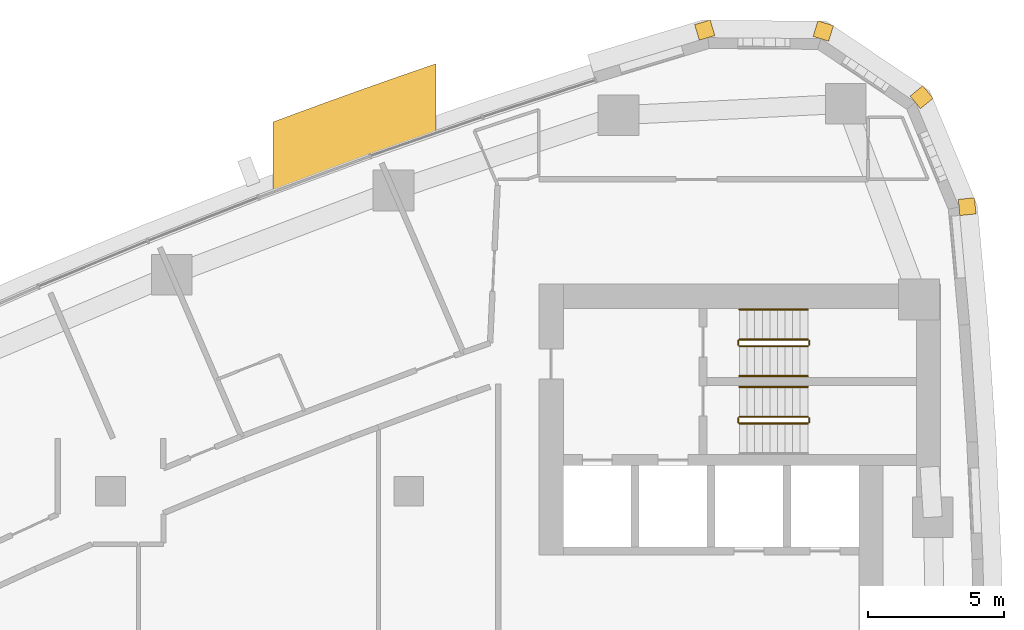
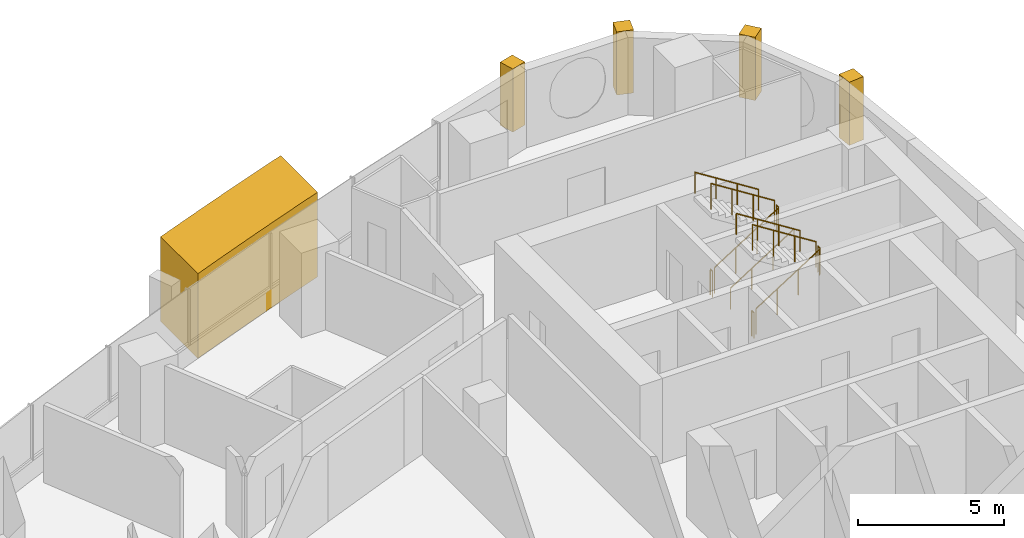
# One storey, part 17 of 17: 11 railings, 5 coverings.
"""IFC4 building model written with IfcOpenShell, lengths in metres."""

from ifc_helpers import new_model, si_unit, direction, frame, frame_2d, origin, origin_2d, place, context, subcontext, project, spatial, polyline, rectangle, circle, outline, extrude, material, layer, layer_set, type_object, element, save


model = new_model("IFC4")

# Units and contexts
model_context = context("Model", 3, precision=1e-05, world=origin(), true_north=direction((0.0, 1.0)))
body_context = subcontext(model_context, "Body", "Model", "MODEL_VIEW")
ifc_project = project(units=[si_unit("LENGTHUNIT", "METRE"), si_unit("AREAUNIT", "SQUARE_METRE"), si_unit("VOLUMEUNIT", "CUBIC_METRE"), si_unit("PLANEANGLEUNIT", "RADIAN"), si_unit("MASSUNIT", "GRAM", prefix="KILO")], contexts=[model_context])

# Site, building, storey
site_placement = place(None, origin())
site = spatial("IfcSite", under=ifc_project, at=site_placement, CompositionType="ELEMENT")
building_placement = place(site_placement, origin())
building = spatial("IfcBuilding", under=site, at=building_placement, Name="Ostrand Prow Hotel Tower", CompositionType="ELEMENT")
storey_placement = place(building_placement, frame((0.0, 0.0, 155.050048828125)))
storey = spatial("IfcBuildingStorey", under=building, at=storey_placement, Name="L38", CompositionType="ELEMENT", Elevation=155.050048828125)

# Coverings
ifc_material_1 = material(Name="Limestone cladding", Category="masonry")
ifc_layer_1 = layer(ifc_material_1, 5.0)
ifc_layer_set_1 = layer_set([ifc_layer_1], Name="Limestone cladding")
covering_type_1 = type_object("IfcCoveringType", Name="Portal jamb pilaster limestone", PredefinedType="CLADDING", material=ifc_layer_set_1)
covering_1_placement = place(storey_placement, origin())
element("IfcCovering", 1, at=covering_1_placement, inside=storey, type_object=covering_type_1, Name="Portal jamb NB L38", PredefinedType="CLADDING", context=body_context, shape_type="SweptSolid", body=[
    extrude(outline(polyline([(40.0, 20.058349609375), (41.0, 20.434326171875), (42.0, 20.804931640625), (43.0, 21.169921875), (44.0, 21.529296875), (45.0, 21.883056640625), (46.0, 22.231689453125), (46.0, 24.769287109375), (45.0, 24.425048828125), (44.0, 24.075439453125), (43.0, 23.720458984375), (42.0, 23.360107421875), (41.0, 22.994140625), (40.0, 22.622802734375), (40.0, 20.058349609375)])), origin(), (0.0, 0.0, 1.0), 3.550048828125),
])
ifc_material_2 = material(Name="Limestone cladding", Category="masonry")
ifc_layer_2 = layer(ifc_material_2, 0.60009765625)
ifc_layer_set_2 = layer_set([ifc_layer_2], Name="Limestone cladding")
covering_type_2 = type_object("IfcCoveringType", Name="Precast stone prow rib 600x600", PredefinedType="CLADDING", material=ifc_layer_set_2)
covering_2_placement = place(storey_placement, frame((65.296875, 19.467529296875, 0.599853515625), z_axis=(0.0, 0.0, 1.0), x_axis=(0.994854249607, 0.101316445052, 0.0)))
element("IfcCovering", 2, at=covering_2_placement, inside=storey, type_object=covering_type_2, Name="Stone corner rib 14a", PredefinedType="CLADDING", context=body_context, shape_type="SweptSolid", body=[
    extrude(rectangle(XDim=0.60009765625, YDim=0.60009765625, at=frame_2d((0.300048828125, 0.0))), origin(), (0.0, 0.0, 1.0), 2.650146484375),
])
for number, where, z_axis, x_axis, name in (
    (3, (63.68505859375, 23.34521484375, 0.599853515625), (0.0, 0.0, 1.0), (0.773830327772, 0.633392945825, 0.0), "Stone corner rib 15a"),
    (4, (60.201171875, 25.689697265625, 0.599853515625), (0.0, 0.0, 1.0), (0.295515682615, 0.955337888565, 0.0), "Stone corner rib 16a"),
):
    element("IfcCovering", number, at=place(storey_placement, frame(where, z_axis=z_axis, x_axis=x_axis)), inside=storey, type_object=covering_type_2, Name=name, PredefinedType="CLADDING", context=body_context, shape_type="SweptSolid", body=[
        extrude(rectangle(XDim=0.599853515625, YDim=0.60009765625, at=frame_2d((0.2998046875, 0.0))), origin(), (0.0, 0.0, 1.0), 2.650146484375),
    ])
covering_3_placement = place(storey_placement, frame((56.001953125, 25.722412109375, 0.599853515625), z_axis=(0.0, 0.0, 1.0), x_axis=(-0.280734221166, 0.959785547436, 0.0)))
element("IfcCovering", 5, at=covering_3_placement, inside=storey, type_object=covering_type_2, Name="Stone corner rib 16b", PredefinedType="CLADDING", context=body_context, shape_type="SweptSolid", body=[
    extrude(rectangle(XDim=0.60009765625, YDim=0.60009765625, at=frame_2d((0.300048828125, 0.0))), origin(), (0.0, 0.0, 1.0), 2.650146484375),
])

# Railings
ifc_material_3 = material(Name="Painted steel", Category="steel")
railing_type_1 = type_object("IfcRailingType", Name="Stair guard 1100", PredefinedType="GUARDRAIL", material=ifc_material_3)
railing_1_placement = place(storey_placement, frame((57.199951171875, 11.5, 0.177490234375)))
element("IfcRailing", 6, at=railing_1_placement, inside=storey, type_object=railing_type_1, Name="L38 ST1C stair guard 1", PredefinedType="GUARDRAIL", context=body_context, shape_type="SweptSolid", body=[
    extrude(circle(Radius=0.02392578125, at=origin_2d()), frame((0.0, 0.0, 1.076171875), z_axis=(0.84460694969, 0.0, 0.535386869969), x_axis=(0.0, 1.0, 0.0)), (0.0, 0.0, 1.0), 2.983642578125),
    extrude(circle(Radius=0.02099609375, at=origin_2d()), origin(), (0.0, 0.0, 1.0), 1.052001953125),
    extrude(circle(Radius=0.02099609375, at=origin_2d()), frame((0.840087890625, 0.0, 0.532470703125)), (0.0, 0.0, 1.0), 1.052001953125),
    extrude(circle(Radius=0.02099609375, at=origin_2d()), frame((1.679931640625, 0.0, 1.06494140625)), (0.0, 0.0, 1.0), 1.052001953125),
    extrude(circle(Radius=0.02099609375, at=origin_2d()), frame((2.52001953125, 0.0, 1.597412109375)), (0.0, 0.0, 1.0), 1.052001953125),
])
railing_2_placement = place(storey_placement, frame((59.77001953125, 11.550048828125, 1.77490234375)))
element("IfcRailing", 7, at=railing_2_placement, inside=storey, type_object=railing_type_1, Name="L38 ST1C stair guard 2", PredefinedType="GUARDRAIL", context=body_context, shape_type="SweptSolid", body=[
    extrude(circle(Radius=0.02392578125, at=origin_2d()), frame((0.0, 0.0, 1.076171875), z_axis=(0.0, 1.0, 0.0), x_axis=(-1.0, 0.0, 0.0)), (0.0, 0.0, 1.0), 0.14990234375),
    extrude(circle(Radius=0.02099609375, at=origin_2d()), origin(), (0.0, 0.0, 1.0), 1.052001953125),
    extrude(circle(Radius=0.02099609375, at=origin_2d()), frame((0.0, 0.14990234375, 0.0)), (0.0, 0.0, 1.0), 1.052001953125),
])
railing_3_placement = place(storey_placement, frame((59.719970703125, 11.75, 1.952392578125)))
element("IfcRailing", 8, at=railing_3_placement, inside=storey, type_object=railing_type_1, Name="L38 ST1C stair guard 3", PredefinedType="GUARDRAIL", context=body_context, shape_type="SweptSolid", body=[
    extrude(circle(Radius=0.02392578125, at=origin_2d()), frame((0.0, 0.0, 1.076171875), z_axis=(-0.84456994832, 0.0, 0.535445237532), x_axis=(0.0, -1.0, 0.0)), (0.0, 0.0, 1.0), 2.98388671875),
    extrude(circle(Radius=0.02099609375, at=origin_2d()), origin(), (0.0, 0.0, 1.0), 1.052001953125),
    extrude(circle(Radius=0.02099609375, at=origin_2d()), frame((-0.840087890625, 0.0, 0.532470703125)), (0.0, 0.0, 1.0), 1.052001953125),
    extrude(circle(Radius=0.02099609375, at=origin_2d()), frame((-1.679931640625, 0.0, 1.065185546875)), (0.0, 0.0, 1.0), 1.052001953125),
    extrude(circle(Radius=0.02099609375, at=origin_2d()), frame((-2.52001953125, 0.0, 1.59765625)), (0.0, 0.0, 1.0), 1.052001953125),
])
railing_4_placement = place(storey_placement, frame((57.14990234375, 11.550048828125, 0.0)))
element("IfcRailing", 9, at=railing_4_placement, inside=storey, type_object=railing_type_1, Name="L38 ST1C stair guard 4", PredefinedType="GUARDRAIL", context=body_context, shape_type="SweptSolid", body=[
    extrude(circle(Radius=0.02392578125, at=origin_2d()), frame((0.0, 0.0, 1.076171875), z_axis=(0.0, 1.0, 0.0), x_axis=(-1.0, 0.0, 0.0)), (0.0, 0.0, 1.0), 0.14990234375),
    extrude(circle(Radius=0.02099609375, at=origin_2d()), origin(), (0.0, 0.0, 1.0), 1.052001953125),
    extrude(circle(Radius=0.02099609375, at=origin_2d()), frame((0.0, 0.14990234375, 0.0)), (0.0, 0.0, 1.0), 1.052001953125),
])
railing_5_placement = place(storey_placement, frame((57.199951171875, 14.35009765625, 0.177490234375)))
element("IfcRailing", 10, at=railing_5_placement, inside=storey, type_object=railing_type_1, Name="L38 ST3C stair guard 1", PredefinedType="GUARDRAIL", context=body_context, shape_type="SweptSolid", body=[
    extrude(circle(Radius=0.02392578125, at=origin_2d()), frame((0.0, 0.0, 1.076171875), z_axis=(0.84460694969, 0.0, 0.535386869969), x_axis=(0.0, 1.0, 0.0)), (0.0, 0.0, 1.0), 2.983642578125),
    extrude(circle(Radius=0.02099609375, at=origin_2d()), origin(), (0.0, 0.0, 1.0), 1.052001953125),
    extrude(circle(Radius=0.02099609375, at=origin_2d()), frame((0.840087890625, 0.0, 0.532470703125)), (0.0, 0.0, 1.0), 1.052001953125),
    extrude(circle(Radius=0.02099609375, at=origin_2d()), frame((1.679931640625, 0.0, 1.06494140625)), (0.0, 0.0, 1.0), 1.052001953125),
    extrude(circle(Radius=0.02099609375, at=origin_2d()), frame((2.52001953125, 0.0, 1.597412109375)), (0.0, 0.0, 1.0), 1.052001953125),
])
railing_6_placement = place(storey_placement, frame((59.77001953125, 14.39990234375, 1.77490234375)))
element("IfcRailing", 11, at=railing_6_placement, inside=storey, type_object=railing_type_1, Name="L38 ST3C stair guard 2", PredefinedType="GUARDRAIL", context=body_context, shape_type="SweptSolid", body=[
    extrude(circle(Radius=0.02392578125, at=origin_2d()), frame((0.0, 0.0, 1.076171875), z_axis=(0.0, 1.0, 0.0), x_axis=(-1.0, 0.0, 0.0)), (0.0, 0.0, 1.0), 0.150146484375),
    extrude(circle(Radius=0.02099609375, at=origin_2d()), origin(), (0.0, 0.0, 1.0), 1.052001953125),
    extrude(circle(Radius=0.02099609375, at=origin_2d()), frame((0.0, 0.150146484375, 0.0)), (0.0, 0.0, 1.0), 1.052001953125),
])
railing_7_placement = place(storey_placement, frame((59.719970703125, 14.60009765625, 1.952392578125)))
element("IfcRailing", 12, at=railing_7_placement, inside=storey, type_object=railing_type_1, Name="L38 ST3C stair guard 3", PredefinedType="GUARDRAIL", context=body_context, shape_type="SweptSolid", body=[
    extrude(circle(Radius=0.02392578125, at=origin_2d()), frame((0.0, 0.0, 1.076171875), z_axis=(-0.84456994832, 0.0, 0.535445237532), x_axis=(0.0, -1.0, 0.0)), (0.0, 0.0, 1.0), 2.98388671875),
    extrude(circle(Radius=0.02099609375, at=origin_2d()), origin(), (0.0, 0.0, 1.0), 1.052001953125),
    extrude(circle(Radius=0.02099609375, at=origin_2d()), frame((-0.840087890625, 0.0, 0.532470703125)), (0.0, 0.0, 1.0), 1.052001953125),
    extrude(circle(Radius=0.02099609375, at=origin_2d()), frame((-1.679931640625, 0.0, 1.065185546875)), (0.0, 0.0, 1.0), 1.052001953125),
    extrude(circle(Radius=0.02099609375, at=origin_2d()), frame((-2.52001953125, 0.0, 1.59765625)), (0.0, 0.0, 1.0), 1.052001953125),
])
railing_8_placement = place(storey_placement, frame((57.14990234375, 14.39990234375, 0.0)))
element("IfcRailing", 13, at=railing_8_placement, inside=storey, type_object=railing_type_1, Name="L38 ST3C stair guard 4", PredefinedType="GUARDRAIL", context=body_context, shape_type="SweptSolid", body=[
    extrude(circle(Radius=0.02392578125, at=origin_2d()), frame((0.0, 0.0, 1.076171875), z_axis=(0.0, 1.0, 0.0), x_axis=(-1.0, 0.0, 0.0)), (0.0, 0.0, 1.0), 0.150146484375),
    extrude(circle(Radius=0.02099609375, at=origin_2d()), origin(), (0.0, 0.0, 1.0), 1.052001953125),
    extrude(circle(Radius=0.02099609375, at=origin_2d()), frame((0.0, 0.150146484375, 0.0)), (0.0, 0.0, 1.0), 1.052001953125),
])
ifc_material_4 = material(Name="Stainless steel", Category="steel")
railing_type_2 = type_object("IfcRailingType", Name="Stair handrail 900", PredefinedType="HANDRAIL", material=ifc_material_4)
railing_9_placement = place(storey_placement, frame((59.719970703125, 12.85009765625, 1.952392578125)))
element("IfcRailing", 14, at=railing_9_placement, inside=storey, type_object=railing_type_2, Name="L38 ST1C stair handrail 2", PredefinedType="HANDRAIL", context=body_context, shape_type="SweptSolid", body=[
    extrude(circle(Radius=0.02392578125, at=origin_2d()), frame((0.0, 0.0, 0.8759765625), z_axis=(-0.84456994832, 0.0, 0.535445237532), x_axis=(0.0, -1.0, 0.0)), (0.0, 0.0, 1.0), 2.98388671875),
    extrude(circle(Radius=0.02099609375, at=origin_2d()), origin(), (0.0, 0.0, 1.0), 0.851806640625),
    extrude(circle(Radius=0.02099609375, at=origin_2d()), frame((-0.840087890625, 0.0, 0.532470703125)), (0.0, 0.0, 1.0), 0.851806640625),
    extrude(circle(Radius=0.02099609375, at=origin_2d()), frame((-1.679931640625, 0.0, 1.065185546875)), (0.0, 0.0, 1.0), 0.851806640625),
    extrude(circle(Radius=0.02099609375, at=origin_2d()), frame((-2.52001953125, 0.0, 1.59765625)), (0.0, 0.0, 1.0), 0.851806640625),
])
railing_10_placement = place(storey_placement, frame((57.199951171875, 13.25, 0.177490234375)))
element("IfcRailing", 15, at=railing_10_placement, inside=storey, type_object=railing_type_2, Name="L38 ST3C stair handrail 1", PredefinedType="HANDRAIL", context=body_context, shape_type="SweptSolid", body=[
    extrude(circle(Radius=0.02392578125, at=origin_2d()), frame((0.0, 0.0, 0.8759765625), z_axis=(0.84460694969, 0.0, 0.535386869969), x_axis=(0.0, 1.0, 0.0)), (0.0, 0.0, 1.0), 2.983642578125),
    extrude(circle(Radius=0.02099609375, at=origin_2d()), origin(), (0.0, 0.0, 1.0), 0.851806640625),
    extrude(circle(Radius=0.02099609375, at=origin_2d()), frame((0.840087890625, 0.0, 0.532470703125)), (0.0, 0.0, 1.0), 0.851806640625),
    extrude(circle(Radius=0.02099609375, at=origin_2d()), frame((1.679931640625, 0.0, 1.06494140625)), (0.0, 0.0, 1.0), 0.851806640625),
    extrude(circle(Radius=0.02099609375, at=origin_2d()), frame((2.52001953125, 0.0, 1.597412109375)), (0.0, 0.0, 1.0), 0.851806640625),
])
railing_11_placement = place(storey_placement, frame((59.719970703125, 15.699951171875, 1.952392578125)))
element("IfcRailing", 16, at=railing_11_placement, inside=storey, type_object=railing_type_2, Name="L38 ST3C stair handrail 2", PredefinedType="HANDRAIL", context=body_context, shape_type="SweptSolid", body=[
    extrude(circle(Radius=0.02392578125, at=origin_2d()), frame((0.0, 0.0, 0.8759765625), z_axis=(-0.84456994832, 0.0, 0.535445237532), x_axis=(0.0, -1.0, 0.0)), (0.0, 0.0, 1.0), 2.98388671875),
    extrude(circle(Radius=0.02099609375, at=origin_2d()), origin(), (0.0, 0.0, 1.0), 0.851806640625),
    extrude(circle(Radius=0.02099609375, at=origin_2d()), frame((-0.840087890625, 0.0, 0.532470703125)), (0.0, 0.0, 1.0), 0.851806640625),
    extrude(circle(Radius=0.02099609375, at=origin_2d()), frame((-1.679931640625, 0.0, 1.065185546875)), (0.0, 0.0, 1.0), 0.851806640625),
    extrude(circle(Radius=0.02099609375, at=origin_2d()), frame((-2.52001953125, 0.0, 1.59765625)), (0.0, 0.0, 1.0), 0.851806640625),
])

save(model, "model.ifc")
